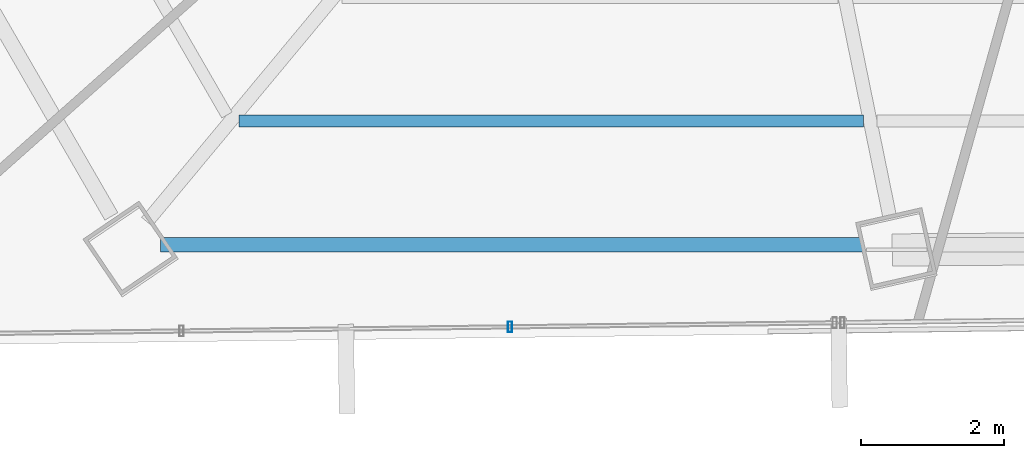
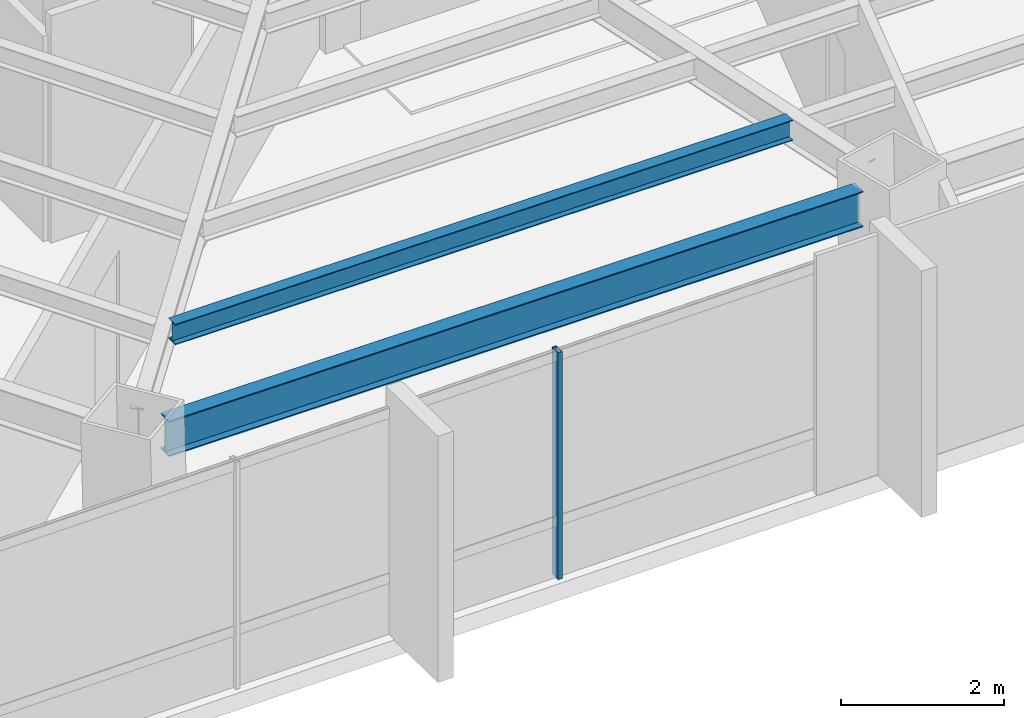
# One storey, part 4 of 41: 2 beams, 1 member, 1 element without a shape of its own.
"""IFC4 building model written with IfcOpenShell, lengths in metres."""

from ifc_helpers import new_model, si_unit, direction, frame, origin, origin_2d, place, context, subcontext, project, spatial, hollow_rectangle, i_section, extrude, source, transform, mapped, material, material_profile, profile_set, type_object, type_shapes, element, aggregate, save


model = new_model("IFC4")

# Units and contexts
model_context = context("Model", 3, precision=1e-05, world=origin(), true_north=direction((0.0, 1.0)))
body_context = subcontext(model_context, "Body", "Model", "MODEL_VIEW")
ifc_project = project(units=[si_unit("LENGTHUNIT", "METRE"), si_unit("AREAUNIT", "SQUARE_METRE"), si_unit("VOLUMEUNIT", "CUBIC_METRE"), si_unit("PLANEANGLEUNIT", "RADIAN"), si_unit("MASSUNIT", "GRAM", prefix="KILO")], contexts=[model_context])

# Site, building, storey
site_placement = place(None, origin())
site = spatial("IfcSite", under=ifc_project, at=site_placement, CompositionType="ELEMENT")
building_placement = place(site_placement, origin())
building = spatial("IfcBuilding", under=site, at=building_placement, Name="Caelisora Broadcast Tower", CompositionType="ELEMENT")
storey_placement = place(building_placement, frame((0.0, 0.0, 135.449951171875)))
storey = spatial("IfcBuildingStorey", under=building, at=storey_placement, Name="L35", CompositionType="ELEMENT", Elevation=135.449951171875)

# Beams
ifc_material_1 = material(Name="Steel Grade 350 (AS/NZS 3679.1)", Category="steel")
ifc_material_profile_1 = material_profile(ifc_material_1, i_section(OverallWidth=0.208984375, OverallDepth=0.532958984375, WebThickness=0.01025390625, FlangeThickness=0.015625, at=origin_2d()), Name="Steel Grade 350 (AS/NZS 3679.1)")
ifc_profile_set_1 = profile_set([ifc_material_profile_1], Name="Steel Grade 350 (AS/NZS 3679.1)")
beam_type_1 = type_object("IfcBeamType", Name="PG05", PredefinedType="BEAM", material=ifc_profile_set_1)
shared_shape_1 = source(origin(), body_context, "Body", "SweptSolid", [
    extrude(i_section(OverallWidth=0.208984375, OverallDepth=0.532958984375, WebThickness=0.01025390625, FlangeThickness=0.015625, at=origin_2d()), origin(), (0.0, 0.0, 1.0), 9.836181640625),
])
type_shapes(beam_type_1, [shared_shape_1])
beam_1_placement = place(storey_placement, frame((22.325927734375, 7.008544921875, 3.133544921875), z_axis=(1.0, 0.0, 0.0), x_axis=(0.0, 1.0, 0.0)))
element("IfcBeam", 1, at=beam_1_placement, inside=storey, type_object=beam_type_1, Name="L35 beam PG05", PredefinedType="BEAM", context=body_context, shape_type="MappedRepresentation", body=[
    mapped(shared_shape_1, transform((0.0, 0.0, 0.0), scale=1.0)),
])
ifc_material_profile_2 = material_profile(ifc_material_1, i_section(OverallWidth=0.166015625, OverallDepth=0.30712890625, WebThickness=0.006591796875, FlangeThickness=0.01171875, at=origin_2d()), Name="Steel Grade 350 (AS/NZS 3679.1)")
ifc_profile_set_2 = profile_set([ifc_material_profile_2], Name="Steel Grade 350 (AS/NZS 3679.1)")
beam_type_2 = type_object("IfcBeamType", Name="SB03", PredefinedType="JOIST", material=ifc_profile_set_2)
shared_shape_2 = source(origin(), body_context, "Body", "SweptSolid", [
    extrude(i_section(OverallWidth=0.166015625, OverallDepth=0.30712890625, WebThickness=0.006591796875, FlangeThickness=0.01171875, at=origin_2d()), origin(), (0.0, 0.0, 1.0), 8.74755859375),
])
type_shapes(beam_type_2, [shared_shape_2])
beam_2_placement = place(storey_placement, frame((23.42626953125, 8.740478515625, 3.246337890625), z_axis=(1.0, 0.0, 0.0), x_axis=(0.0, 1.0, 0.0)))
element("IfcBeam", 2, at=beam_2_placement, inside=storey, type_object=beam_type_2, Name="L35 beam SB03", PredefinedType="JOIST", context=body_context, shape_type="MappedRepresentation", body=[
    mapped(shared_shape_2, transform((0.0, 0.0, 0.0), scale=1.0)),
])

# Curtain wall, member
ifc_material_2 = material(Name="Unitised Aluminium and Low-E Glass Curtain Wall", Category="glass")
curtain_wall_type = type_object("IfcCurtainWallType", Name="CW-Z3", PredefinedType="NOTDEFINED", material=ifc_material_2)
curtain_wall_placement = place(storey_placement, origin())
curtain_wall = element("IfcCurtainWall", 3, at=curtain_wall_placement, inside=storey, type_object=curtain_wall_type, Name="L35 curtain wall CW-Z3", PredefinedType="NOTDEFINED")
ifc_material_3 = material(Name="Aluminium 6063-T6 Anodised Terracotta Bronze", Category="aluminium")
ifc_material_profile_3 = material_profile(ifc_material_3, hollow_rectangle(XDim=0.06005859375, YDim=0.14990234375, WallThickness=0.00341796875, at=origin_2d()), Name="Aluminium 6063-T6 Anodised Terracotta Bronze")
ifc_profile_set_3 = profile_set([ifc_material_profile_3], Name="Aluminium 6063-T6 Anodised Terracotta Bronze")
member_type = type_object("IfcMemberType", Name="CWM-03", PredefinedType="MULLION", material=ifc_profile_set_3)
shared_shape_3 = source(origin(), body_context, "Body", "SweptSolid", [
    extrude(hollow_rectangle(XDim=0.06005859375, YDim=0.14990234375, WallThickness=0.00341796875, at=origin_2d()), origin(), (0.0, 0.0, 1.0), 3.400146484375),
])
type_shapes(member_type, [shared_shape_3])
member_placement = place(storey_placement, frame((27.220458984375, 5.85791015625, 0.0), z_axis=(0.0, 0.0, 1.0), x_axis=(1.0, 0.0, 0.0)))
member = element("IfcMember", 4, at=member_placement, type_object=member_type, Name="L35-CW-B07 mullion #1", PredefinedType="MULLION", context=body_context, shape_type="MappedRepresentation", body=[
    mapped(shared_shape_3, transform((0.0, 0.0, 0.0), scale=1.0)),
])
aggregate(curtain_wall, [member])

save(model, "model.ifc")
